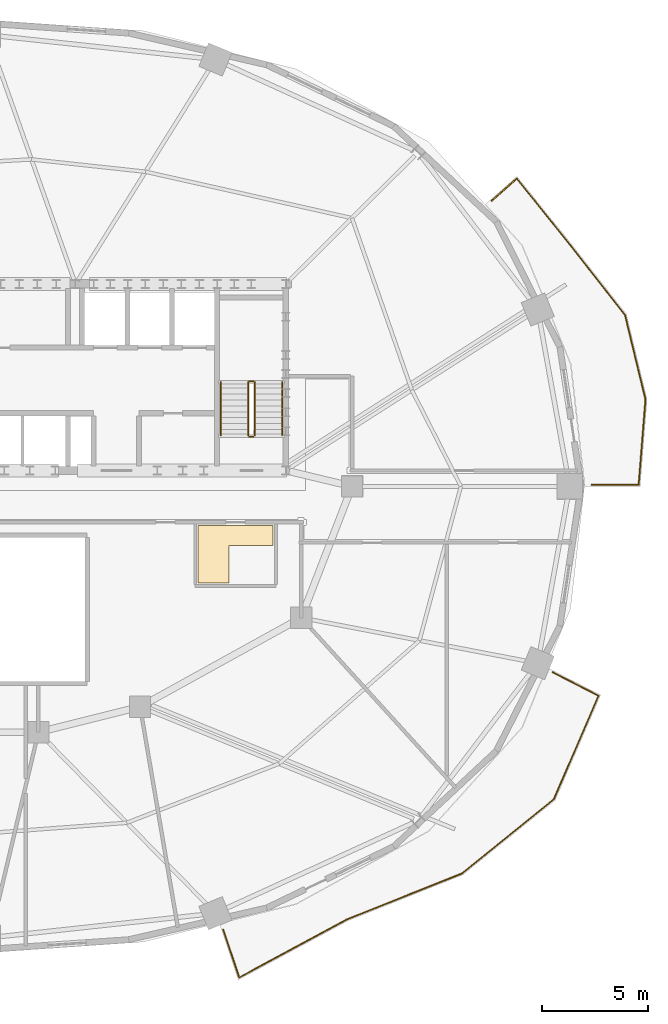
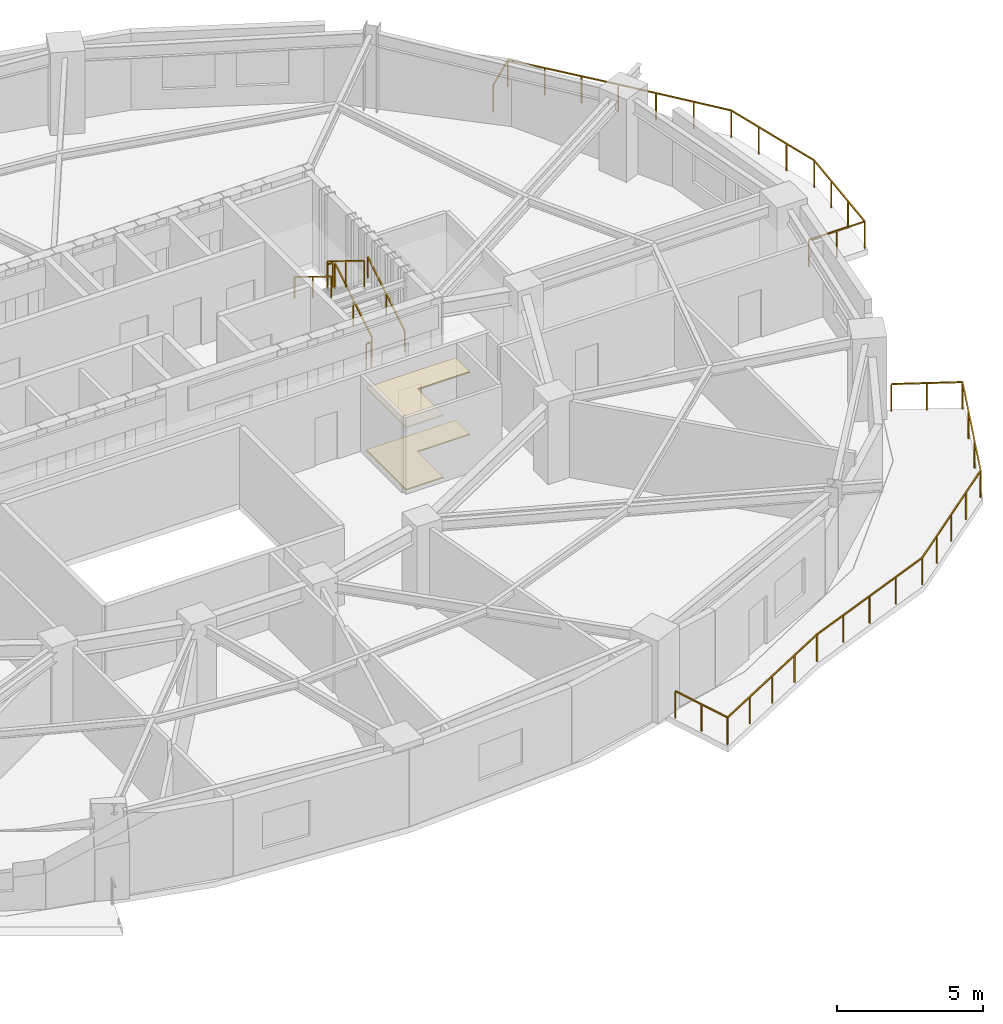
# One storey, part 11 of 11: 8 railings, 2 coverings.
"""IFC4 building model written with IfcOpenShell, lengths in metres."""

from ifc_helpers import new_model, si_unit, direction, frame, origin, origin_2d, place, context, subcontext, project, spatial, polyline, rectangle, outline, extrude, material, layer, layer_set, type_object, element, save


model = new_model("IFC4")

# Units and contexts
model_context = context("Model", 3, precision=1e-05, world=origin(), true_north=direction((0.0, 1.0)))
body_context = subcontext(model_context, "Body", "Model", "MODEL_VIEW")
ifc_project = project(units=[si_unit("LENGTHUNIT", "METRE"), si_unit("AREAUNIT", "SQUARE_METRE"), si_unit("VOLUMEUNIT", "CUBIC_METRE"), si_unit("PLANEANGLEUNIT", "RADIAN"), si_unit("MASSUNIT", "GRAM", prefix="KILO")], contexts=[model_context])

# Site, building, storey
site_placement = place(None, origin())
site = spatial("IfcSite", under=ifc_project, at=site_placement, CompositionType="ELEMENT")
building_placement = place(site_placement, origin())
building = spatial("IfcBuilding", under=site, at=building_placement, Name="Haldorwick Loom Tower", CompositionType="ELEMENT")
storey_placement = place(building_placement, frame((0.0, 0.0, 204.85009765625)))
storey = spatial("IfcBuildingStorey", under=building, at=storey_placement, Name="L55", CompositionType="ELEMENT", Elevation=204.85009765625)

# Coverings
ifc_material_1 = material(Name="Mineral Fibre Acoustic Ceiling Tile")
ifc_layer_1 = layer(ifc_material_1, 0.054931640625, Name="Mineral Fibre Acoustic Ceiling Tile")
ifc_layer_set_1 = layer_set([ifc_layer_1], Name="Mineral Fibre Acoustic Ceiling Tile")
covering_type_1 = type_object("IfcCoveringType", Name="ARC-COV-CEIL2", PredefinedType="CEILING", material=ifc_layer_set_1)
covering_1_placement = place(storey_placement, frame((0.0, 0.0, 2.594970703125)))
element("IfcCovering", 1, at=covering_1_placement, inside=storey, type_object=covering_type_1, Name="L55 Acoustic Suspended Ceiling 2", PredefinedType="CEILING", context=body_context, shape_type="SweptSolid", body=[
    extrude(outline(polyline([(45.929931640625, 24.159912109375), (45.929931640625, 21.429931640625), (47.39990234375, 21.429931640625), (47.39990234375, 23.199951171875), (49.469970703125, 23.199951171875), (49.469970703125, 24.159912109375), (45.929931640625, 24.159912109375)])), origin(), (0.0, 0.0, 1.0), 0.054931640625),
])
ifc_material_2 = material(Name="Polished Aggregate Terrazzo Finish")
ifc_layer_2 = layer(ifc_material_2, 0.044921875, Name="Polished Aggregate Terrazzo Finish")
ifc_layer_set_2 = layer_set([ifc_layer_2], Name="Polished Aggregate Terrazzo Finish")
covering_type_2 = type_object("IfcCoveringType", Name="ARC-COV-FLOOR2", PredefinedType="FLOORING", material=ifc_layer_set_2)
covering_2_placement = place(storey_placement, origin())
element("IfcCovering", 2, at=covering_2_placement, inside=storey, type_object=covering_type_2, Name="L55 Floor Finish 2", PredefinedType="FLOORING", context=body_context, shape_type="SweptSolid", body=[
    extrude(outline(polyline([(45.929931640625, 24.159912109375), (45.929931640625, 21.429931640625), (47.39990234375, 21.429931640625), (47.39990234375, 23.199951171875), (49.469970703125, 23.199951171875), (49.469970703125, 24.159912109375), (45.929931640625, 24.159912109375)])), origin(), (0.0, 0.0, 1.0), 0.044921875),
])

# Railings
ifc_material_3 = material(Name="Galvanized Steel CSA G40.21 350W", Category="steel")
railing_type_1 = type_object("IfcRailingType", Name="ARC-RLG-BAL115", PredefinedType="BALUSTRADE", material=ifc_material_3)
railing_1_placement = place(storey_placement, frame((62.660888671875, 17.23388671875, 0.0)))
element("IfcRailing", 3, at=railing_1_placement, inside=storey, type_object=railing_type_1, Name="L55 Outdoor Terrace Guardrail SLB-L55-BAL_SE-1", PredefinedType="BALUSTRADE", context=body_context, shape_type="SweptSolid", body=[
    extrude(rectangle(XDim=0.048095703125, YDim=0.048095703125, at=origin_2d()), frame((0.0, 0.0, 1.1259765625), z_axis=(0.889504281361, -0.456926835981, 0.0), x_axis=(0.456926835981, 0.889504281361, 0.0)), (0.0, 0.0, 1.0), 2.4365234375),
    extrude(rectangle(XDim=0.048095703125, YDim=0.048095703125, at=origin_2d()), frame((2.167236328125, -1.11328125, 1.1259765625), z_axis=(-0.396214177824, -0.918158115627, 0.0), x_axis=(0.918158115627, -0.396214177824, 0.0)), (0.0, 0.0, 1.0), 5.312744140625),
    extrude(rectangle(XDim=0.048095703125, YDim=0.048095703125, at=origin_2d()), frame((0.062255859375, -5.9912109375, 1.1259765625), z_axis=(-0.777394820232, -0.629012951755, 0.0), x_axis=(0.629012951755, -0.777394820232, 0.0)), (0.0, 0.0, 1.0), 5.57275390625),
    extrude(rectangle(XDim=0.048095703125, YDim=0.048095703125, at=origin_2d()), frame((-4.27001953125, -9.49658203125, 1.1259765625), z_axis=(-0.928835804375, -0.370491630824, 0.0), x_axis=(0.370491630824, -0.928835804375, 0.0)), (0.0, 0.0, 1.0), 5.806884765625),
    extrude(rectangle(XDim=0.048095703125, YDim=0.048095703125, at=origin_2d()), frame((-9.66357421875, -11.64794921875, 1.1259765625), z_axis=(-0.909474475586, -0.415759760268, 0.0), x_axis=(0.415759760268, -0.909474475586, 0.0)), (0.0, 0.0, 1.0), 0.00927734375),
    extrude(rectangle(XDim=0.048095703125, YDim=0.048095703125, at=origin_2d()), frame((-9.672119140625, -11.65185546875, 1.1259765625), z_axis=(-0.880222610924, -0.474561013168, 0.0), x_axis=(0.474561013168, -0.880222610924, 0.0)), (0.0, 0.0, 1.0), 5.8076171875),
    extrude(rectangle(XDim=0.048095703125, YDim=0.048095703125, at=origin_2d()), frame((-14.7841796875, -14.407958984375, 1.1259765625), z_axis=(-0.318290104713, 0.947993359281, 0.0), x_axis=(-0.947993359281, -0.318290104713, 0.0)), (0.0, 0.0, 1.0), 2.378662109375),
    extrude(rectangle(XDim=0.0419921875, YDim=0.0419921875, at=origin_2d()), origin(), (0.0, 0.0, 1.0), 1.101806640625),
    extrude(rectangle(XDim=0.0419921875, YDim=0.0419921875, at=origin_2d()), frame((1.08349609375, -0.556640625, 0.0)), (0.0, 0.0, 1.0), 1.101806640625),
    extrude(rectangle(XDim=0.0419921875, YDim=0.0419921875, at=origin_2d()), frame((2.167236328125, -1.11328125, 0.0)), (0.0, 0.0, 1.0), 1.101806640625),
    extrude(rectangle(XDim=0.0419921875, YDim=0.0419921875, at=origin_2d()), frame((1.465576171875, -2.7392578125, 0.0)), (0.0, 0.0, 1.0), 1.101806640625),
    extrude(rectangle(XDim=0.0419921875, YDim=0.0419921875, at=origin_2d()), frame((0.763916015625, -4.365234375, 0.0)), (0.0, 0.0, 1.0), 1.101806640625),
    extrude(rectangle(XDim=0.0419921875, YDim=0.0419921875, at=origin_2d()), frame((0.062255859375, -5.9912109375, 0.0)), (0.0, 0.0, 1.0), 1.101806640625),
    extrude(rectangle(XDim=0.0419921875, YDim=0.0419921875, at=origin_2d()), frame((-1.020751953125, -6.86767578125, 0.0)), (0.0, 0.0, 1.0), 1.101806640625),
    extrude(rectangle(XDim=0.0419921875, YDim=0.0419921875, at=origin_2d()), frame((-2.10400390625, -7.743896484375, 0.0)), (0.0, 0.0, 1.0), 1.101806640625),
    extrude(rectangle(XDim=0.0419921875, YDim=0.0419921875, at=origin_2d()), frame((-3.18701171875, -8.6201171875, 0.0)), (0.0, 0.0, 1.0), 1.101806640625),
    extrude(rectangle(XDim=0.0419921875, YDim=0.0419921875, at=origin_2d()), frame((-4.27001953125, -9.49658203125, 0.0)), (0.0, 0.0, 1.0), 1.101806640625),
    extrude(rectangle(XDim=0.0419921875, YDim=0.0419921875, at=origin_2d()), frame((-5.618408203125, -10.034423828125, 0.0)), (0.0, 0.0, 1.0), 1.101806640625),
    extrude(rectangle(XDim=0.0419921875, YDim=0.0419921875, at=origin_2d()), frame((-6.966796875, -10.572265625, 0.0)), (0.0, 0.0, 1.0), 1.101806640625),
    extrude(rectangle(XDim=0.0419921875, YDim=0.0419921875, at=origin_2d()), frame((-8.315185546875, -11.110107421875, 0.0)), (0.0, 0.0, 1.0), 1.101806640625),
    extrude(rectangle(XDim=0.0419921875, YDim=0.0419921875, at=origin_2d()), frame((-9.66357421875, -11.64794921875, 0.0)), (0.0, 0.0, 1.0), 1.101806640625),
    extrude(rectangle(XDim=0.0419921875, YDim=0.0419921875, at=origin_2d()), frame((-10.9501953125, -12.3408203125, 0.0)), (0.0, 0.0, 1.0), 1.101806640625),
    extrude(rectangle(XDim=0.0419921875, YDim=0.0419921875, at=origin_2d()), frame((-12.22802734375, -13.02978515625, 0.0)), (0.0, 0.0, 1.0), 1.101806640625),
    extrude(rectangle(XDim=0.0419921875, YDim=0.0419921875, at=origin_2d()), frame((-13.506103515625, -13.718994140625, 0.0)), (0.0, 0.0, 1.0), 1.101806640625),
    extrude(rectangle(XDim=0.0419921875, YDim=0.0419921875, at=origin_2d()), frame((-14.7841796875, -14.407958984375, 0.0)), (0.0, 0.0, 1.0), 1.101806640625),
    extrude(rectangle(XDim=0.0419921875, YDim=0.0419921875, at=origin_2d()), frame((-15.16259765625, -13.280517578125, 0.0)), (0.0, 0.0, 1.0), 1.101806640625),
    extrude(rectangle(XDim=0.0419921875, YDim=0.0419921875, at=origin_2d()), frame((-15.541259765625, -12.153076171875, 0.0)), (0.0, 0.0, 1.0), 1.101806640625),
])
railing_2_placement = place(storey_placement, frame((59.7919921875, 39.476806640625, 0.0)))
element("IfcRailing", 4, at=railing_2_placement, inside=storey, type_object=railing_type_1, Name="L55 Outdoor Terrace Guardrail SLB-L55-BAL_ENE-1", PredefinedType="BALUSTRADE", context=body_context, shape_type="SweptSolid", body=[
    extrude(rectangle(XDim=0.048095703125, YDim=0.048095703125, at=origin_2d()), frame((0.0, 0.0, 1.1259765625), z_axis=(0.748128064876, 0.663554367437, 0.0), x_axis=(-0.663554367437, 0.748128064876, 0.0)), (0.0, 0.0, 1.0), 1.5732421875),
    extrude(rectangle(XDim=0.048095703125, YDim=0.048095703125, at=origin_2d()), frame((1.177001953125, 1.0439453125, 1.1259765625), z_axis=(0.627015651841, -0.779006657446, 0.0), x_axis=(0.779006657446, 0.627015651841, 0.0)), (0.0, 0.0, 1.0), 4.049560546875),
    extrude(rectangle(XDim=0.048095703125, YDim=0.048095703125, at=origin_2d()), frame((3.716064453125, -2.110595703125, 1.1259765625), z_axis=(0.617162742639, -0.78683552862, 0.0), x_axis=(0.78683552862, 0.617162742639, 0.0)), (0.0, 0.0, 1.0), 4.158447265625),
    extrude(rectangle(XDim=0.048095703125, YDim=0.048095703125, at=origin_2d()), frame((6.282470703125, -5.382568359375, 1.1259765625), z_axis=(0.235560956217, -0.971859576228, 0.0), x_axis=(0.971859576228, 0.235560956217, 0.0)), (0.0, 0.0, 1.0), 4.113525390625),
    extrude(rectangle(XDim=0.048095703125, YDim=0.048095703125, at=origin_2d()), frame((7.25146484375, -9.38037109375, 1.1259765625), z_axis=(-0.0796801975, -0.996820478384, 0.0), x_axis=(0.996820478384, -0.0796801975, 0.0)), (0.0, 0.0, 1.0), 4.029052734375),
    extrude(rectangle(XDim=0.048095703125, YDim=0.048095703125, at=origin_2d()), frame((6.930419921875, -13.396728515625, 1.1259765625), z_axis=(-1.0, 0.0, 0.0), x_axis=(0.0, -1.0, 0.0)), (0.0, 0.0, 1.0), 2.212890625),
    extrude(rectangle(XDim=0.0419921875, YDim=0.0419921875, at=origin_2d()), origin(), (0.0, 0.0, 1.0), 1.101806640625),
    extrude(rectangle(XDim=0.0419921875, YDim=0.0419921875, at=origin_2d()), frame((1.177001953125, 1.0439453125, 0.0)), (0.0, 0.0, 1.0), 1.101806640625),
    extrude(rectangle(XDim=0.0419921875, YDim=0.0419921875, at=origin_2d()), frame((2.0234375, -0.007568359375, 0.0)), (0.0, 0.0, 1.0), 1.101806640625),
    extrude(rectangle(XDim=0.0419921875, YDim=0.0419921875, at=origin_2d()), frame((2.86962890625, -1.05908203125, 0.0)), (0.0, 0.0, 1.0), 1.101806640625),
    extrude(rectangle(XDim=0.0419921875, YDim=0.0419921875, at=origin_2d()), frame((3.716064453125, -2.110595703125, 0.0)), (0.0, 0.0, 1.0), 1.101806640625),
    extrude(rectangle(XDim=0.0419921875, YDim=0.0419921875, at=origin_2d()), frame((4.571533203125, -3.201171875, 0.0)), (0.0, 0.0, 1.0), 1.101806640625),
    extrude(rectangle(XDim=0.0419921875, YDim=0.0419921875, at=origin_2d()), frame((5.427001953125, -4.2919921875, 0.0)), (0.0, 0.0, 1.0), 1.101806640625),
    extrude(rectangle(XDim=0.0419921875, YDim=0.0419921875, at=origin_2d()), frame((6.282470703125, -5.382568359375, 0.0)), (0.0, 0.0, 1.0), 1.101806640625),
    extrude(rectangle(XDim=0.0419921875, YDim=0.0419921875, at=origin_2d()), frame((6.60546875, -6.715087890625, 0.0)), (0.0, 0.0, 1.0), 1.101806640625),
    extrude(rectangle(XDim=0.0419921875, YDim=0.0419921875, at=origin_2d()), frame((6.928466796875, -8.0478515625, 0.0)), (0.0, 0.0, 1.0), 1.101806640625),
    extrude(rectangle(XDim=0.0419921875, YDim=0.0419921875, at=origin_2d()), frame((7.25146484375, -9.38037109375, 0.0)), (0.0, 0.0, 1.0), 1.101806640625),
    extrude(rectangle(XDim=0.0419921875, YDim=0.0419921875, at=origin_2d()), frame((7.14453125, -10.71923828125, 0.0)), (0.0, 0.0, 1.0), 1.101806640625),
    extrude(rectangle(XDim=0.0419921875, YDim=0.0419921875, at=origin_2d()), frame((7.037353515625, -12.057861328125, 0.0)), (0.0, 0.0, 1.0), 1.101806640625),
    extrude(rectangle(XDim=0.0419921875, YDim=0.0419921875, at=origin_2d()), frame((6.930419921875, -13.396728515625, 0.0)), (0.0, 0.0, 1.0), 1.101806640625),
    extrude(rectangle(XDim=0.0419921875, YDim=0.0419921875, at=origin_2d()), frame((5.823974609375, -13.396728515625, 0.0)), (0.0, 0.0, 1.0), 1.101806640625),
    extrude(rectangle(XDim=0.0419921875, YDim=0.0419921875, at=origin_2d()), frame((4.717529296875, -13.396728515625, 0.0)), (0.0, 0.0, 1.0), 1.101806640625),
])
ifc_material_4 = material(Name="Steel CSA G40.21 350W", Category="steel")
railing_type_2 = type_object("IfcRailingType", Name="ARC-RLG-GUARD112", PredefinedType="GUARDRAIL", material=ifc_material_4)
railing_3_placement = place(storey_placement, frame((48.60009765625, 28.39990234375, 0.17236328125)))
element("IfcRailing", 5, at=railing_3_placement, inside=storey, type_object=railing_type_2, Name="L55 ST-02 stair guard 1", PredefinedType="GUARDRAIL", context=body_context, shape_type="SweptSolid", body=[
    extrude(rectangle(XDim=0.048095703125, YDim=0.048095703125, at=origin_2d()), frame((0.0, 0.0, 1.076171875), z_axis=(0.0, 0.851400495292, 0.524516154772), x_axis=(-1.0, 0.0, 0.0)), (0.0, 0.0, 1.0), 2.9599609375),
    extrude(rectangle(XDim=0.0419921875, YDim=0.0419921875, at=origin_2d()), origin(), (0.0, 0.0, 1.0), 1.052001953125),
    extrude(rectangle(XDim=0.0419921875, YDim=0.0419921875, at=origin_2d()), frame((0.0, 1.260009765625, 0.7763671875)), (0.0, 0.0, 1.0), 1.052001953125),
    extrude(rectangle(XDim=0.0419921875, YDim=0.0419921875, at=origin_2d()), frame((0.0, 2.52001953125, 1.552490234375)), (0.0, 0.0, 1.0), 1.052001953125),
])
railing_4_placement = place(storey_placement, frame((48.550048828125, 30.969970703125, 1.724853515625)))
element("IfcRailing", 6, at=railing_4_placement, inside=storey, type_object=railing_type_2, Name="L55 ST-02 stair guard 2", PredefinedType="GUARDRAIL", context=body_context, shape_type="SweptSolid", body=[
    extrude(rectangle(XDim=0.048095703125, YDim=0.048095703125, at=origin_2d()), frame((0.0, 0.0, 1.076171875), z_axis=(-1.0, 0.0, 0.0), x_axis=(0.0, -1.0, 0.0)), (0.0, 0.0, 1.0), 0.199951171875),
    extrude(rectangle(XDim=0.0419921875, YDim=0.0419921875, at=origin_2d()), origin(), (0.0, 0.0, 1.0), 1.052001953125),
    extrude(rectangle(XDim=0.0419921875, YDim=0.0419921875, at=origin_2d()), frame((-0.199951171875, 0.0, 0.0)), (0.0, 0.0, 1.0), 1.052001953125),
])
railing_5_placement = place(storey_placement, frame((48.300048828125, 30.919921875, 1.8974609375)))
element("IfcRailing", 7, at=railing_5_placement, inside=storey, type_object=railing_type_2, Name="L55 ST-02 stair guard 3", PredefinedType="GUARDRAIL", context=body_context, shape_type="SweptSolid", body=[
    extrude(rectangle(XDim=0.048095703125, YDim=0.048095703125, at=origin_2d()), frame((0.0, 0.0, 1.076171875), z_axis=(0.0, -0.851400495292, 0.524516154772), x_axis=(1.0, 0.0, 0.0)), (0.0, 0.0, 1.0), 2.9599609375),
    extrude(rectangle(XDim=0.0419921875, YDim=0.0419921875, at=origin_2d()), origin(), (0.0, 0.0, 1.0), 1.052001953125),
    extrude(rectangle(XDim=0.0419921875, YDim=0.0419921875, at=origin_2d()), frame((0.0, -1.260009765625, 0.7763671875)), (0.0, 0.0, 1.0), 1.052001953125),
    extrude(rectangle(XDim=0.0419921875, YDim=0.0419921875, at=origin_2d()), frame((0.0, -2.52001953125, 1.552490234375)), (0.0, 0.0, 1.0), 1.052001953125),
])
railing_6_placement = place(storey_placement, frame((48.550048828125, 28.35009765625, 0.0)))
element("IfcRailing", 8, at=railing_6_placement, inside=storey, type_object=railing_type_2, Name="L55 ST-02 stair guard 4", PredefinedType="GUARDRAIL", context=body_context, shape_type="SweptSolid", body=[
    extrude(rectangle(XDim=0.048095703125, YDim=0.048095703125, at=origin_2d()), frame((0.0, 0.0, 1.076171875), z_axis=(-1.0, 0.0, 0.0), x_axis=(0.0, -1.0, 0.0)), (0.0, 0.0, 1.0), 0.199951171875),
    extrude(rectangle(XDim=0.0419921875, YDim=0.0419921875, at=origin_2d()), origin(), (0.0, 0.0, 1.0), 1.052001953125),
    extrude(rectangle(XDim=0.0419921875, YDim=0.0419921875, at=origin_2d()), frame((-0.199951171875, 0.0, 0.0)), (0.0, 0.0, 1.0), 1.052001953125),
])
railing_type_3 = type_object("IfcRailingType", Name="ARC-RLG-HAND092", PredefinedType="HANDRAIL", material=ifc_material_4)
railing_7_placement = place(storey_placement, frame((49.89990234375, 28.39990234375, 0.17236328125)))
element("IfcRailing", 9, at=railing_7_placement, inside=storey, type_object=railing_type_3, Name="L55 ST-02 stair handrail 1", PredefinedType="HANDRAIL", context=body_context, shape_type="SweptSolid", body=[
    extrude(rectangle(XDim=0.048095703125, YDim=0.048095703125, at=origin_2d()), frame((0.0, 0.0, 0.8759765625), z_axis=(0.0, 0.851400495292, 0.524516154772), x_axis=(-1.0, 0.0, 0.0)), (0.0, 0.0, 1.0), 2.9599609375),
    extrude(rectangle(XDim=0.0419921875, YDim=0.0419921875, at=origin_2d()), origin(), (0.0, 0.0, 1.0), 0.851806640625),
    extrude(rectangle(XDim=0.0419921875, YDim=0.0419921875, at=origin_2d()), frame((0.0, 1.260009765625, 0.7763671875)), (0.0, 0.0, 1.0), 0.851806640625),
    extrude(rectangle(XDim=0.0419921875, YDim=0.0419921875, at=origin_2d()), frame((0.0, 2.52001953125, 1.552490234375)), (0.0, 0.0, 1.0), 0.851806640625),
])
railing_8_placement = place(storey_placement, frame((47.0, 30.919921875, 1.8974609375)))
element("IfcRailing", 10, at=railing_8_placement, inside=storey, type_object=railing_type_3, Name="L55 ST-02 stair handrail 2", PredefinedType="HANDRAIL", context=body_context, shape_type="SweptSolid", body=[
    extrude(rectangle(XDim=0.048095703125, YDim=0.048095703125, at=origin_2d()), frame((0.0, 0.0, 0.8759765625), z_axis=(0.0, -0.851400495292, 0.524516154772), x_axis=(1.0, 0.0, 0.0)), (0.0, 0.0, 1.0), 2.9599609375),
    extrude(rectangle(XDim=0.0419921875, YDim=0.0419921875, at=origin_2d()), origin(), (0.0, 0.0, 1.0), 0.851806640625),
    extrude(rectangle(XDim=0.0419921875, YDim=0.0419921875, at=origin_2d()), frame((0.0, -1.260009765625, 0.7763671875)), (0.0, 0.0, 1.0), 0.851806640625),
    extrude(rectangle(XDim=0.0419921875, YDim=0.0419921875, at=origin_2d()), frame((0.0, -2.52001953125, 1.552490234375)), (0.0, 0.0, 1.0), 0.851806640625),
])

save(model, "model.ifc")
